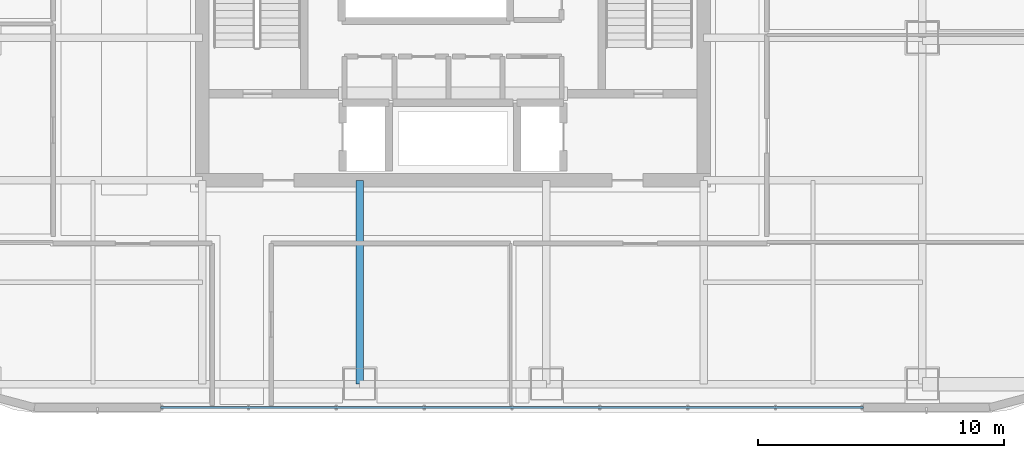
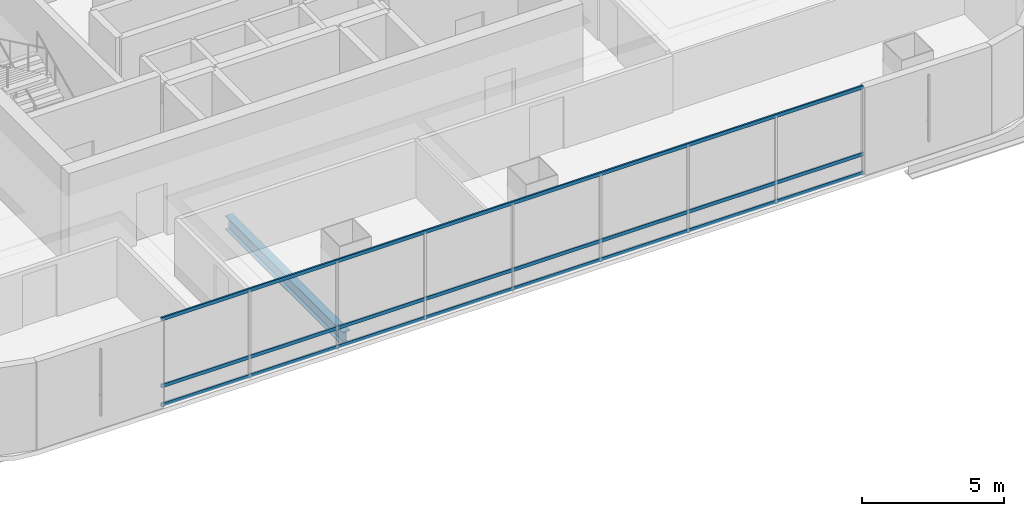
# One storey, part 6 of 51: 3 members, 1 beam, 1 element without a shape of its own.
"""IFC4 building model written with IfcOpenShell, lengths in metres."""

from ifc_helpers import new_model, si_unit, direction, frame, origin, origin_2d, place, context, subcontext, project, spatial, hollow_rectangle, i_section, extrude, material, material_profile, profile_set, type_object, element, aggregate, save


model = new_model("IFC4")

# Units and contexts
model_context = context("Model", 3, precision=1e-05, world=origin(), true_north=direction((0.0, 1.0)))
body_context = subcontext(model_context, "Body", "Model", "MODEL_VIEW")
ifc_project = project(units=[si_unit("LENGTHUNIT", "METRE"), si_unit("AREAUNIT", "SQUARE_METRE"), si_unit("VOLUMEUNIT", "CUBIC_METRE"), si_unit("PLANEANGLEUNIT", "RADIAN"), si_unit("MASSUNIT", "GRAM", prefix="KILO")], contexts=[model_context])

# Site, building, storey
site_placement = place(None, origin())
site = spatial("IfcSite", under=ifc_project, at=site_placement, CompositionType="ELEMENT")
building_placement = place(site_placement, origin())
building = spatial("IfcBuilding", under=site, at=building_placement, Name="Punatoya Terracotta Tower", CompositionType="ELEMENT")
storey_placement = place(building_placement, frame((0.0, 0.0, 279.75)))
storey = spatial("IfcBuildingStorey", under=building, at=storey_placement, Name="L66", CompositionType="ELEMENT", Elevation=279.75)

# Beam
ifc_material_1 = material(Name="Steel S355", Category="steel")
ifc_material_profile_1 = material_profile(ifc_material_1, i_section(OverallWidth=0.300048828125, OverallDepth=0.60009765625, WebThickness=0.015380859375, FlangeThickness=0.030029296875, FilletRadius=0.01806640625, at=origin_2d()))
ifc_profile_set_1 = profile_set([ifc_material_profile_1], Name="Steel S355")
beam_type = type_object("IfcBeamType", Name="BM-PRI-600", PredefinedType="BEAM", material=ifc_profile_set_1)
beam_placement = place(storey_placement, frame((-3.800048828125, -17.5, -0.5), z_axis=(0.0, 1.0, 0.0), x_axis=(-1.0, 0.0, 0.0)))
element("IfcBeam", 1, at=beam_placement, inside=storey, type_object=beam_type, Name="BM-L66-PR-S2", PredefinedType="BEAM", context=body_context, shape_type="SweptSolid", body=[
    extrude(i_section(OverallWidth=0.300048828125, OverallDepth=0.60009765625, WebThickness=0.015380859375, FlangeThickness=0.030029296875, FilletRadius=0.01806640625, at=origin_2d()), origin(), (0.0, 0.0, 1.0), 8.300048828125),
])

# Curtain wall, members
ifc_material_2 = material(Name="Aluminium 6063-T6 + Double Low-E Glass", Category="aluminium")
curtain_wall_type = type_object("IfcCurtainWallType", Name="CW-M3", PredefinedType="NOTDEFINED", material=ifc_material_2)
curtain_wall_placement = place(storey_placement, origin())
curtain_wall = element("IfcCurtainWall", 2, at=curtain_wall_placement, inside=storey, type_object=curtain_wall_type, Name="L66 Curtain Wall CW-L66-S01-1", PredefinedType="NOTDEFINED")
ifc_material_3 = material(Name="Aluminium 6063-T6", Category="aluminium")
ifc_material_profile_2 = material_profile(ifc_material_3, hollow_rectangle(XDim=0.068115234375, YDim=0.14990234375, WallThickness=0.00390625, at=origin_2d()))
ifc_profile_set_2 = profile_set([ifc_material_profile_2], Name="Aluminium 6063-T6")
member_type = type_object("IfcMemberType", Name="CW-TRN-TYP", PredefinedType="USERDEFINED", material=ifc_profile_set_2)
member_1_placement = place(storey_placement, frame((-11.89990234375, -18.449951171875, 0.0400390625), z_axis=(1.0, 0.0, 0.0), x_axis=(0.0, 1.0, 0.0)))
member_1 = element("IfcMember", 3, at=member_1_placement, type_object=member_type, Name="CW-L66-S01-1 Transom 1", ObjectType="TRANSOM", PredefinedType="USERDEFINED", context=body_context, shape_type="SweptSolid", body=[
    extrude(hollow_rectangle(XDim=0.068115234375, YDim=0.14990234375, WallThickness=0.00390625, at=origin_2d()), origin(), (0.0, 0.0, 1.0), 28.599853515625),
])
member_2_placement = place(storey_placement, frame((-11.89990234375, -18.449951171875, 0.85009765625), z_axis=(1.0, 0.0, 0.0), x_axis=(0.0, 1.0, 0.0)))
member_2 = element("IfcMember", 4, at=member_2_placement, type_object=member_type, Name="CW-L66-S01-1 Transom 2", ObjectType="TRANSOM", PredefinedType="USERDEFINED", context=body_context, shape_type="SweptSolid", body=[
    extrude(hollow_rectangle(XDim=0.068115234375, YDim=0.14990234375, WallThickness=0.00390625, at=origin_2d()), origin(), (0.0, 0.0, 1.0), 28.599853515625),
])
member_3_placement = place(storey_placement, frame((-11.89990234375, -18.449951171875, 3.72998046875), z_axis=(1.0, 0.0, 0.0), x_axis=(0.0, 1.0, 0.0)))
member_3 = element("IfcMember", 5, at=member_3_placement, type_object=member_type, Name="CW-L66-S01-1 Transom 3", ObjectType="TRANSOM", PredefinedType="USERDEFINED", context=body_context, shape_type="SweptSolid", body=[
    extrude(hollow_rectangle(XDim=0.068115234375, YDim=0.14990234375, WallThickness=0.00390625, at=origin_2d()), origin(), (0.0, 0.0, 1.0), 28.599853515625),
])
aggregate(curtain_wall, [member_1, member_2, member_3])

save(model, "model.ifc")
